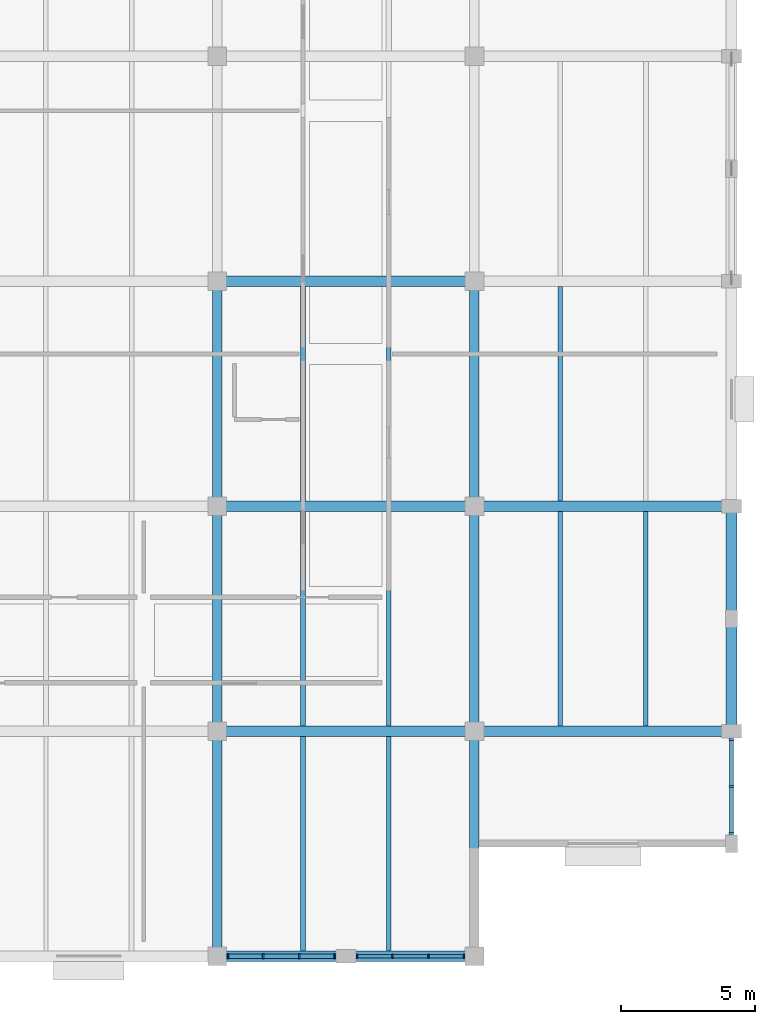
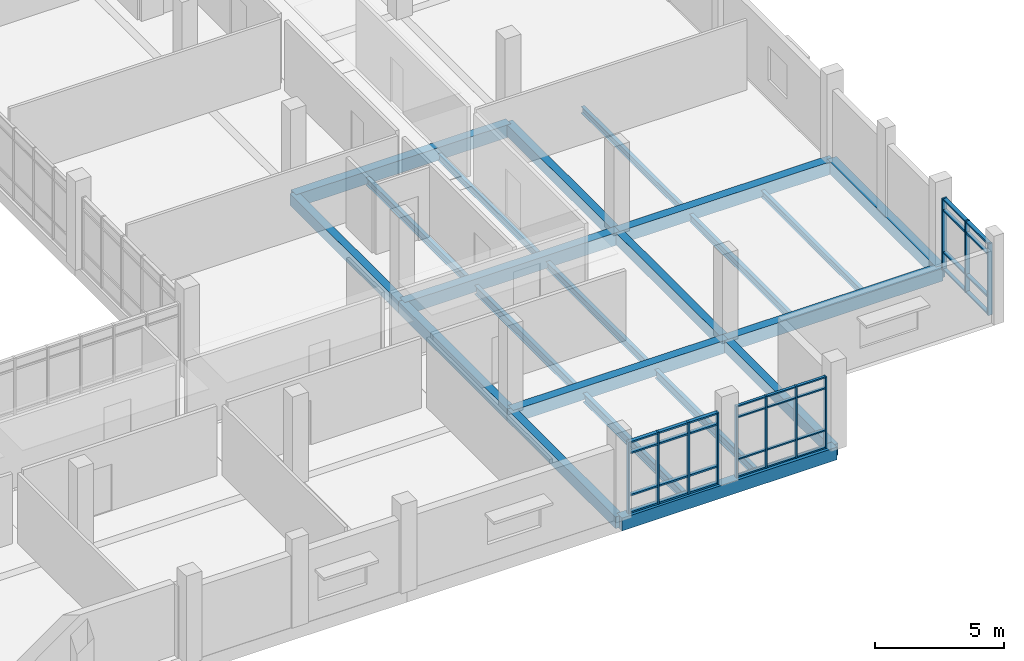
# One storey, part 18 of 57: 43 members, 22 beams, 3 elements without a shape of their own.
"""IFC4 building model written with IfcOpenShell, lengths in metres."""

from ifc_helpers import new_model, si_unit, direction, frame, origin, origin_2d, place, context, subcontext, project, spatial, rectangle, i_section, extrude, material, material_profile, profile_set, type_object, element, aggregate, save


model = new_model("IFC4")

# Units and contexts
model_context = context("Model", 3, precision=1e-05, world=origin(), true_north=direction((0.0, 1.0)))
body_context = subcontext(model_context, "Body", "Model", "MODEL_VIEW")
ifc_project = project(units=[si_unit("LENGTHUNIT", "METRE"), si_unit("AREAUNIT", "SQUARE_METRE"), si_unit("VOLUMEUNIT", "CUBIC_METRE"), si_unit("PLANEANGLEUNIT", "RADIAN"), si_unit("MASSUNIT", "GRAM", prefix="KILO")], contexts=[model_context])

# Site, building, storey
site_placement = place(None, origin())
site = spatial("IfcSite", under=ifc_project, at=site_placement, CompositionType="ELEMENT")
building_placement = place(site_placement, origin())
building = spatial("IfcBuilding", under=site, at=building_placement, Name="Oolite Switchyard Hospital", CompositionType="ELEMENT")
storey_placement = place(building_placement, frame((0.0, 0.0, 17.800048828125)))
storey = spatial("IfcBuildingStorey", under=building, at=storey_placement, Name="L04", CompositionType="ELEMENT", Elevation=17.800048828125)

# Beams
ifc_material_1 = material(Name="Concrete C40/50", Category="concrete")
ifc_material_profile_1 = material_profile(ifc_material_1, rectangle(XDim=0.35009765625, YDim=0.550048828125, at=origin_2d()), Name="RCB350X550")
ifc_profile_set_1 = profile_set([ifc_material_profile_1], Name="Concrete C40/50")
beam_type_1 = type_object("IfcBeamType", Name="BM-RC350X550", PredefinedType="BEAM", material=ifc_profile_set_1)
beam_1_placement = place(storey_placement, frame((192.0, 8.39990234375, -0.275146484375), z_axis=(0.0, 1.0, 0.0), x_axis=(-1.0, 0.0, 0.0)))
element("IfcBeam", 1, at=beam_1_placement, inside=storey, type_object=beam_type_1, Name="L04 Y-Girder 3051", PredefinedType="BEAM", context=body_context, shape_type="SweptSolid", body=[
    extrude(rectangle(XDim=0.35009765625, YDim=0.550048828125, at=origin_2d()), origin(), (0.0, 0.0, 1.0), 8.400146484375),
])
beam_2_placement = place(storey_placement, frame((192.0, 16.800048828125, -0.275146484375), z_axis=(0.0, 1.0, 0.0), x_axis=(-1.0, 0.0, 0.0)))
element("IfcBeam", 2, at=beam_2_placement, inside=storey, type_object=beam_type_1, Name="L04 Y-Girder 3052", PredefinedType="BEAM", context=body_context, shape_type="SweptSolid", body=[
    extrude(rectangle(XDim=0.35009765625, YDim=0.550048828125, at=origin_2d()), origin(), (0.0, 0.0, 1.0), 8.39990234375),
])
for number, where, z_axis, x_axis, name in (
    (3, (192.0, 25.199951171875, -0.275146484375), (0.0, 1.0, 0.0), (-1.0, 0.0, 0.0), "L04 Y-Girder 3053"),
    (4, (201.60009765625, 8.39990234375, -0.275146484375), (0.0, 1.0, 0.0), (-1.0, 0.0, 0.0), "L04 Y-Girder 3063"),
):
    element("IfcBeam", number, at=place(storey_placement, frame(where, z_axis=z_axis, x_axis=x_axis)), inside=storey, type_object=beam_type_1, Name=name, PredefinedType="BEAM", context=body_context, shape_type="SweptSolid", body=[
        extrude(rectangle(XDim=0.35009765625, YDim=0.550048828125, at=origin_2d()), origin(), (0.0, 0.0, 1.0), 8.400146484375),
    ])
beam_3_placement = place(storey_placement, frame((201.60009765625, 16.800048828125, -0.275146484375), z_axis=(0.0, 1.0, 0.0), x_axis=(-1.0, 0.0, 0.0)))
element("IfcBeam", 5, at=beam_3_placement, inside=storey, type_object=beam_type_1, Name="L04 Y-Girder 3064", PredefinedType="BEAM", context=body_context, shape_type="SweptSolid", body=[
    extrude(rectangle(XDim=0.35009765625, YDim=0.550048828125, at=origin_2d()), origin(), (0.0, 0.0, 1.0), 8.39990234375),
])
beam_4_placement = place(storey_placement, frame((201.60009765625, 25.199951171875, -0.275146484375), z_axis=(0.0, 1.0, 0.0), x_axis=(-1.0, 0.0, 0.0)))
element("IfcBeam", 6, at=beam_4_placement, inside=storey, type_object=beam_type_1, Name="L04 Y-Girder 3065", PredefinedType="BEAM", context=body_context, shape_type="SweptSolid", body=[
    extrude(rectangle(XDim=0.35009765625, YDim=0.550048828125, at=origin_2d()), origin(), (0.0, 0.0, 1.0), 8.400146484375),
])
ifc_material_profile_2 = material_profile(ifc_material_1, rectangle(XDim=0.39990234375, YDim=0.60009765625, at=origin_2d()), Name="RCB400X600")
ifc_profile_set_2 = profile_set([ifc_material_profile_2], Name="Concrete C40/50")
beam_type_2 = type_object("IfcBeamType", Name="BM-RC400X600", PredefinedType="BEAM", material=ifc_profile_set_2)
for number, where, z_axis, x_axis, name in (
    (7, (192.0, 8.39990234375, -0.300048828125), (1.0, 0.0, 0.0), (0.0, 1.0, 0.0), "L04 X-Girder 2762"),
    (8, (192.0, 16.800048828125, -0.300048828125), (1.0, 0.0, 0.0), (0.0, 1.0, 0.0), "L04 X-Girder 2769"),
):
    element("IfcBeam", number, at=place(storey_placement, frame(where, z_axis=z_axis, x_axis=x_axis)), inside=storey, type_object=beam_type_2, Name=name, PredefinedType="BEAM", context=body_context, shape_type="SweptSolid", body=[
        extrude(rectangle(XDim=0.39990234375, YDim=0.60009765625, at=origin_2d()), origin(), (0.0, 0.0, 1.0), 9.60009765625),
    ])
beam_5_placement = place(storey_placement, frame((201.60009765625, 16.800048828125, -0.300048828125), z_axis=(1.0, 0.0, 0.0), x_axis=(0.0, 1.0, 0.0)))
element("IfcBeam", 9, at=beam_5_placement, inside=storey, type_object=beam_type_2, Name="L04 X-Girder 2770", PredefinedType="BEAM", context=body_context, shape_type="SweptSolid", body=[
    extrude(rectangle(XDim=0.39990234375, YDim=0.60009765625, at=origin_2d()), origin(), (0.0, 0.0, 1.0), 9.599853515625),
])
beam_6_placement = place(storey_placement, frame((192.0, 25.199951171875, -0.300048828125), z_axis=(1.0, 0.0, 0.0), x_axis=(0.0, 1.0, 0.0)))
element("IfcBeam", 10, at=beam_6_placement, inside=storey, type_object=beam_type_2, Name="L04 X-Girder 2777", PredefinedType="BEAM", context=body_context, shape_type="SweptSolid", body=[
    extrude(rectangle(XDim=0.39990234375, YDim=0.60009765625, at=origin_2d()), origin(), (0.0, 0.0, 1.0), 9.60009765625),
])
beam_7_placement = place(storey_placement, frame((201.60009765625, 25.199951171875, -0.300048828125), z_axis=(1.0, 0.0, 0.0), x_axis=(0.0, 1.0, 0.0)))
element("IfcBeam", 11, at=beam_7_placement, inside=storey, type_object=beam_type_2, Name="L04 X-Girder 2778", PredefinedType="BEAM", context=body_context, shape_type="SweptSolid", body=[
    extrude(rectangle(XDim=0.39990234375, YDim=0.60009765625, at=origin_2d()), origin(), (0.0, 0.0, 1.0), 9.599853515625),
])
beam_8_placement = place(storey_placement, frame((192.0, 33.60009765625, -0.300048828125), z_axis=(1.0, 0.0, 0.0), x_axis=(0.0, 1.0, 0.0)))
element("IfcBeam", 12, at=beam_8_placement, inside=storey, type_object=beam_type_2, Name="L04 X-Girder 2783", PredefinedType="BEAM", context=body_context, shape_type="SweptSolid", body=[
    extrude(rectangle(XDim=0.39990234375, YDim=0.60009765625, at=origin_2d()), origin(), (0.0, 0.0, 1.0), 9.60009765625),
])
beam_9_placement = place(storey_placement, frame((211.199951171875, 16.800048828125, -0.300048828125), z_axis=(0.0, 1.0, 0.0), x_axis=(-1.0, 0.0, 0.0)))
element("IfcBeam", 13, at=beam_9_placement, inside=storey, type_object=beam_type_2, Name="L04 Y-Girder 3075", PredefinedType="BEAM", context=body_context, shape_type="SweptSolid", body=[
    extrude(rectangle(XDim=0.39990234375, YDim=0.60009765625, at=origin_2d()), origin(), (0.0, 0.0, 1.0), 8.39990234375),
])
ifc_material_2 = material(Name="Steel ASTM A992 Grade 50", Category="steel")
ifc_material_profile_3 = material_profile(ifc_material_2, i_section(OverallWidth=0.1650390625, OverallDepth=0.31005859375, WebThickness=0.006103515625, FlangeThickness=0.010009765625, at=origin_2d()), Name="W12X26")
ifc_profile_set_3 = profile_set([ifc_material_profile_3], Name="Steel ASTM A992 Grade 50")
beam_type_3 = type_object("IfcBeamType", Name="BM-W12X26", PredefinedType="JOIST", material=ifc_profile_set_3)
for number, where, z_axis, x_axis, name in (
    (14, (198.39990234375, 25.39990234375, -0.429931640625), (0.0, 1.0, 0.0), (-1.0, 0.0, 0.0), "L04 Secondary Steel Joist 3296"),
    (15, (208.0, 17.0, -0.429931640625), (0.0, 1.0, 0.0), (-1.0, 0.0, 0.0), "L04 Secondary Steel Joist 3314"),
    (16, (204.800048828125, 25.39990234375, -0.429931640625), (0.0, 1.0, 0.0), (-1.0, 0.0, 0.0), "L04 Secondary Steel Joist 3315"),
):
    element("IfcBeam", number, at=place(storey_placement, frame(where, z_axis=z_axis, x_axis=x_axis)), inside=storey, type_object=beam_type_3, Name=name, PredefinedType="JOIST", context=body_context, shape_type="SweptSolid", body=[
        extrude(i_section(OverallWidth=0.1650390625, OverallDepth=0.31005859375, WebThickness=0.006103515625, FlangeThickness=0.010009765625, at=origin_2d()), origin(), (0.0, 0.0, 1.0), 8.0),
    ])
ifc_material_profile_4 = material_profile(ifc_material_2, i_section(OverallWidth=0.1708984375, OverallDepth=0.35107421875, WebThickness=0.007080078125, FlangeThickness=0.010009765625, at=origin_2d()), Name="W14X30")
ifc_profile_set_4 = profile_set([ifc_material_profile_4], Name="Steel ASTM A992 Grade 50")
beam_type_4 = type_object("IfcBeamType", Name="BM-W14X30", PredefinedType="JOIST", material=ifc_profile_set_4)
for number, where, z_axis, x_axis, name in (
    (17, (198.39990234375, 17.0, -0.449951171875), (0.0, 1.0, 0.0), (-1.0, 0.0, 0.0), "L04 Secondary Steel Joist 3294"),
    (18, (195.199951171875, 25.39990234375, -0.449951171875), (0.0, 1.0, 0.0), (-1.0, 0.0, 0.0), "L04 Secondary Steel Joist 3295"),
    (19, (204.800048828125, 17.0, -0.449951171875), (0.0, 1.0, 0.0), (-1.0, 0.0, 0.0), "L04 Secondary Steel Joist 3313"),
):
    element("IfcBeam", number, at=place(storey_placement, frame(where, z_axis=z_axis, x_axis=x_axis)), inside=storey, type_object=beam_type_4, Name=name, PredefinedType="JOIST", context=body_context, shape_type="SweptSolid", body=[
        extrude(i_section(OverallWidth=0.1708984375, OverallDepth=0.35107421875, WebThickness=0.007080078125, FlangeThickness=0.010009765625, at=origin_2d()), origin(), (0.0, 0.0, 1.0), 8.0),
    ])
ifc_material_profile_5 = material_profile(ifc_material_2, i_section(OverallWidth=0.177978515625, OverallDepth=0.403076171875, WebThickness=0.008056640625, FlangeThickness=0.010986328125, at=origin_2d()), Name="W16X36")
ifc_profile_set_5 = profile_set([ifc_material_profile_5], Name="Steel ASTM A992 Grade 50")
beam_type_5 = type_object("IfcBeamType", Name="BM-W16X36", PredefinedType="JOIST", material=ifc_profile_set_5)
for number, where, z_axis, x_axis, name in (
    (20, (198.39990234375, 8.60009765625, -0.47607421875), (0.0, 1.0, 0.0), (-1.0, 0.0, 0.0), "L04 Secondary Steel Joist 3292"),
    (21, (195.199951171875, 17.0, -0.47607421875), (0.0, 1.0, 0.0), (-1.0, 0.0, 0.0), "L04 Secondary Steel Joist 3293"),
):
    element("IfcBeam", number, at=place(storey_placement, frame(where, z_axis=z_axis, x_axis=x_axis)), inside=storey, type_object=beam_type_5, Name=name, PredefinedType="JOIST", context=body_context, shape_type="SweptSolid", body=[
        extrude(i_section(OverallWidth=0.177978515625, OverallDepth=0.403076171875, WebThickness=0.008056640625, FlangeThickness=0.010986328125, at=origin_2d()), origin(), (0.0, 0.0, 1.0), 8.0),
    ])
ifc_material_profile_6 = material_profile(ifc_material_2, i_section(OverallWidth=0.179931640625, OverallDepth=0.4130859375, WebThickness=0.010009765625, FlangeThickness=0.01611328125, at=origin_2d()), Name="W16X50")
ifc_profile_set_6 = profile_set([ifc_material_profile_6], Name="Steel ASTM A992 Grade 50")
beam_type_6 = type_object("IfcBeamType", Name="BM-W16X50", PredefinedType="JOIST", material=ifc_profile_set_6)
beam_10_placement = place(storey_placement, frame((195.199951171875, 8.60009765625, -0.48095703125), z_axis=(0.0, 1.0, 0.0), x_axis=(-1.0, 0.0, 0.0)))
element("IfcBeam", 22, at=beam_10_placement, inside=storey, type_object=beam_type_6, Name="L04 Secondary Steel Joist 3291", PredefinedType="JOIST", context=body_context, shape_type="SweptSolid", body=[
    extrude(i_section(OverallWidth=0.179931640625, OverallDepth=0.4130859375, WebThickness=0.010009765625, FlangeThickness=0.01611328125, at=origin_2d()), origin(), (0.0, 0.0, 1.0), 8.0),
])

# Curtain wall, members
ifc_material_3 = material(Name="Thermally broken aluminum frame with laminated impact glazing", Category="aluminium")
curtain_wall_type = type_object("IfcCurtainWallType", Name="CW-UNIT-84X42", PredefinedType="USERDEFINED", material=ifc_material_3)
curtain_wall_1_placement = place(storey_placement, origin())
curtain_wall_1 = element("IfcCurtainWall", 23, at=curtain_wall_1_placement, inside=storey, type_object=curtain_wall_type, Name="L04 Unitised Curtain Wall 356", ObjectType="UNITISED", PredefinedType="USERDEFINED")
ifc_material_4 = material(Name="Aluminium 6063-T6", Category="aluminium")
ifc_material_profile_7 = material_profile(ifc_material_4, rectangle(XDim=0.159912109375, YDim=0.06005859375, at=origin_2d()), Name="CWM60X160")
ifc_profile_set_7 = profile_set([ifc_material_profile_7], Name="Aluminium 6063-T6")
member_type_1 = type_object("IfcMemberType", Name="CW-MUL-180", PredefinedType="MULLION", material=ifc_profile_set_7)
member_1_placement = place(storey_placement, frame((201.205078125, 8.39990234375, 0.0), z_axis=(0.0, 0.0, 1.0), x_axis=(0.0, -1.0, 0.0)))
member_1 = element("IfcMember", 24, at=member_1_placement, type_object=member_type_1, Name="CW-10 mullion 1", PredefinedType="MULLION", context=body_context, shape_type="SweptSolid", body=[
    extrude(rectangle(XDim=0.159912109375, YDim=0.06005859375, at=origin_2d()), origin(), (0.0, 0.0, 1.0), 3.389892578125),
])
member_2_placement = place(storey_placement, frame((199.88671875, 8.39990234375, 0.0), z_axis=(0.0, 0.0, 1.0), x_axis=(0.0, -1.0, 0.0)))
member_2 = element("IfcMember", 25, at=member_2_placement, type_object=member_type_1, Name="CW-10 mullion 2", PredefinedType="MULLION", context=body_context, shape_type="SweptSolid", body=[
    extrude(rectangle(XDim=0.159912109375, YDim=0.06005859375, at=origin_2d()), origin(), (0.0, 0.0, 1.0), 3.389892578125),
])
member_3_placement = place(storey_placement, frame((198.538330078125, 8.39990234375, 0.0), z_axis=(0.0, 0.0, 1.0), x_axis=(0.0, -1.0, 0.0)))
member_3 = element("IfcMember", 26, at=member_3_placement, type_object=member_type_1, Name="CW-10 mullion 3", PredefinedType="MULLION", context=body_context, shape_type="SweptSolid", body=[
    extrude(rectangle(XDim=0.159912109375, YDim=0.06005859375, at=origin_2d()), origin(), (0.0, 0.0, 1.0), 3.389892578125),
])
member_4_placement = place(storey_placement, frame((197.219970703125, 8.39990234375, 0.0), z_axis=(0.0, 0.0, 1.0), x_axis=(0.0, -1.0, 0.0)))
member_4 = element("IfcMember", 27, at=member_4_placement, type_object=member_type_1, Name="CW-10 mullion 4", PredefinedType="MULLION", context=body_context, shape_type="SweptSolid", body=[
    extrude(rectangle(XDim=0.159912109375, YDim=0.06005859375, at=origin_2d()), origin(), (0.0, 0.0, 1.0), 3.389892578125),
])

curtain_wall_2_placement = place(storey_placement, origin())
curtain_wall_2 = element("IfcCurtainWall", 28, at=curtain_wall_2_placement, inside=storey, type_object=curtain_wall_type, Name="L04 Unitised Curtain Wall 357", ObjectType="UNITISED", PredefinedType="USERDEFINED")
ifc_material_profile_8 = material_profile(ifc_material_4, rectangle(XDim=0.179931640625, YDim=0.070068359375, at=origin_2d()), Name="CWM70X180")
ifc_profile_set_8 = profile_set([ifc_material_profile_8], Name="Aluminium 6063-T6")
member_type_2 = type_object("IfcMemberType", Name="CW-MUL-220", PredefinedType="MULLION", material=ifc_profile_set_8)
member_5_placement = place(storey_placement, frame((196.375, 8.39990234375, 0.0), z_axis=(0.0, 0.0, 1.0), x_axis=(0.0, -1.0, 0.0)))
member_5 = element("IfcMember", 29, at=member_5_placement, type_object=member_type_2, Name="CW-10 mullion 1", PredefinedType="MULLION", context=body_context, shape_type="SweptSolid", body=[
    extrude(rectangle(XDim=0.179931640625, YDim=0.070068359375, at=origin_2d()), origin(), (0.0, 0.0, 1.0), 3.389892578125),
])
member_6_placement = place(storey_placement, frame((195.061767578125, 8.39990234375, 0.0), z_axis=(0.0, 0.0, 1.0), x_axis=(0.0, -1.0, 0.0)))
member_6 = element("IfcMember", 30, at=member_6_placement, type_object=member_type_2, Name="CW-10 mullion 2", PredefinedType="MULLION", context=body_context, shape_type="SweptSolid", body=[
    extrude(rectangle(XDim=0.179931640625, YDim=0.070068359375, at=origin_2d()), origin(), (0.0, 0.0, 1.0), 3.389892578125),
])
member_7_placement = place(storey_placement, frame((193.71337890625, 8.39990234375, 0.0), z_axis=(0.0, 0.0, 1.0), x_axis=(0.0, -1.0, 0.0)))
member_7 = element("IfcMember", 31, at=member_7_placement, type_object=member_type_2, Name="CW-10 mullion 3", PredefinedType="MULLION", context=body_context, shape_type="SweptSolid", body=[
    extrude(rectangle(XDim=0.179931640625, YDim=0.070068359375, at=origin_2d()), origin(), (0.0, 0.0, 1.0), 3.389892578125),
])
member_8_placement = place(storey_placement, frame((192.39990234375, 8.39990234375, 0.0), z_axis=(0.0, 0.0, 1.0), x_axis=(0.0, -1.0, 0.0)))
member_8 = element("IfcMember", 32, at=member_8_placement, type_object=member_type_2, Name="CW-10 mullion 4", PredefinedType="MULLION", context=body_context, shape_type="SweptSolid", body=[
    extrude(rectangle(XDim=0.179931640625, YDim=0.070068359375, at=origin_2d()), origin(), (0.0, 0.0, 1.0), 3.389892578125),
])

curtain_wall_3_placement = place(storey_placement, origin())
curtain_wall_3 = element("IfcCurtainWall", 33, at=curtain_wall_3_placement, inside=storey, type_object=curtain_wall_type, Name="L04 Unitised Curtain Wall 379", ObjectType="UNITISED", PredefinedType="USERDEFINED")
ifc_material_profile_9 = material_profile(ifc_material_4, rectangle(XDim=0.199951171875, YDim=0.074951171875, at=origin_2d()), Name="CWM75X200")
ifc_profile_set_9 = profile_set([ifc_material_profile_9], Name="Aluminium 6063-T6")
member_type_3 = type_object("IfcMemberType", Name="CW-MUL-260", PredefinedType="MULLION", material=ifc_profile_set_9)
member_9_placement = place(storey_placement, frame((211.199951171875, 16.49755859375, 0.0), z_axis=(0.0, 0.0, 1.0), x_axis=(1.0, 0.0, 0.0)))
member_9 = element("IfcMember", 34, at=member_9_placement, type_object=member_type_3, Name="CW-10 mullion 1", PredefinedType="MULLION", context=body_context, shape_type="SweptSolid", body=[
    extrude(rectangle(XDim=0.199951171875, YDim=0.074951171875, at=origin_2d()), origin(), (0.0, 0.0, 1.0), 3.389892578125),
])
member_10_placement = place(storey_placement, frame((211.199951171875, 14.737548828125, 0.0), z_axis=(0.0, 0.0, 1.0), x_axis=(1.0, 0.0, 0.0)))
member_10 = element("IfcMember", 35, at=member_10_placement, type_object=member_type_3, Name="CW-10 mullion 2", PredefinedType="MULLION", context=body_context, shape_type="SweptSolid", body=[
    extrude(rectangle(XDim=0.199951171875, YDim=0.074951171875, at=origin_2d()), origin(), (0.0, 0.0, 1.0), 3.389892578125),
])
member_11_placement = place(storey_placement, frame((211.199951171875, 12.9775390625, 0.0), z_axis=(0.0, 0.0, 1.0), x_axis=(1.0, 0.0, 0.0)))
member_11 = element("IfcMember", 36, at=member_11_placement, type_object=member_type_3, Name="CW-10 mullion 3", PredefinedType="MULLION", context=body_context, shape_type="SweptSolid", body=[
    extrude(rectangle(XDim=0.199951171875, YDim=0.074951171875, at=origin_2d()), origin(), (0.0, 0.0, 1.0), 3.389892578125),
])

# Member
ifc_material_profile_10 = material_profile(ifc_material_4, rectangle(XDim=0.1201171875, YDim=0.06005859375, at=origin_2d()), Name="CWT60X120")
ifc_profile_set_10 = profile_set([ifc_material_profile_10], Name="Aluminium 6063-T6")
member_type_4 = type_object("IfcMemberType", Name="CW-TRN-150", PredefinedType="USERDEFINED", material=ifc_profile_set_10)
member_12_placement = place(storey_placement, frame((201.175048828125, 8.39990234375, 0.030029296875), z_axis=(-1.0, 0.0, 0.0), x_axis=(0.0, -1.0, 0.0)))
member_12 = element("IfcMember", 37, at=member_12_placement, type_object=member_type_4, Name="CW-10 transom 1.1", ObjectType="TRANSOM", PredefinedType="USERDEFINED", context=body_context, shape_type="SweptSolid", body=[
    extrude(rectangle(XDim=0.1201171875, YDim=0.06005859375, at=origin_2d()), origin(), (0.0, 0.0, 1.0), 1.25830078125),
])

member_13_placement = place(storey_placement, frame((201.175048828125, 8.39990234375, 0.849853515625), z_axis=(-1.0, 0.0, 0.0), x_axis=(0.0, -1.0, 0.0)))
member_13 = element("IfcMember", 38, at=member_13_placement, type_object=member_type_4, Name="CW-10 transom 1.2", ObjectType="TRANSOM", PredefinedType="USERDEFINED", context=body_context, shape_type="SweptSolid", body=[
    extrude(rectangle(XDim=0.1201171875, YDim=0.06005859375, at=origin_2d()), origin(), (0.0, 0.0, 1.0), 1.25830078125),
])

member_14_placement = place(storey_placement, frame((201.175048828125, 8.39990234375, 2.83984375), z_axis=(-1.0, 0.0, 0.0), x_axis=(0.0, -1.0, 0.0)))
member_14 = element("IfcMember", 39, at=member_14_placement, type_object=member_type_4, Name="CW-10 transom 1.3", ObjectType="TRANSOM", PredefinedType="USERDEFINED", context=body_context, shape_type="SweptSolid", body=[
    extrude(rectangle(XDim=0.1201171875, YDim=0.06005859375, at=origin_2d()), origin(), (0.0, 0.0, 1.0), 1.25830078125),
])

member_15_placement = place(storey_placement, frame((201.175048828125, 8.39990234375, 3.35986328125), z_axis=(-1.0, 0.0, 0.0), x_axis=(0.0, -1.0, 0.0)))
member_15 = element("IfcMember", 40, at=member_15_placement, type_object=member_type_4, Name="CW-10 transom 1.4", ObjectType="TRANSOM", PredefinedType="USERDEFINED", context=body_context, shape_type="SweptSolid", body=[
    extrude(rectangle(XDim=0.1201171875, YDim=0.06005859375, at=origin_2d()), origin(), (0.0, 0.0, 1.0), 1.25830078125),
])

member_16_placement = place(storey_placement, frame((199.856689453125, 8.39990234375, 0.030029296875), z_axis=(-1.0, 0.0, 0.0), x_axis=(0.0, -1.0, 0.0)))
member_16 = element("IfcMember", 41, at=member_16_placement, type_object=member_type_4, Name="CW-10 transom 2.1", ObjectType="TRANSOM", PredefinedType="USERDEFINED", context=body_context, shape_type="SweptSolid", body=[
    extrude(rectangle(XDim=0.1201171875, YDim=0.06005859375, at=origin_2d()), origin(), (0.0, 0.0, 1.0), 1.288330078125),
])

member_17_placement = place(storey_placement, frame((199.856689453125, 8.39990234375, 0.849853515625), z_axis=(-1.0, 0.0, 0.0), x_axis=(0.0, -1.0, 0.0)))
member_17 = element("IfcMember", 42, at=member_17_placement, type_object=member_type_4, Name="CW-10 transom 2.2", ObjectType="TRANSOM", PredefinedType="USERDEFINED", context=body_context, shape_type="SweptSolid", body=[
    extrude(rectangle(XDim=0.1201171875, YDim=0.06005859375, at=origin_2d()), origin(), (0.0, 0.0, 1.0), 1.288330078125),
])

member_18_placement = place(storey_placement, frame((199.856689453125, 8.39990234375, 2.83984375), z_axis=(-1.0, 0.0, 0.0), x_axis=(0.0, -1.0, 0.0)))
member_18 = element("IfcMember", 43, at=member_18_placement, type_object=member_type_4, Name="CW-10 transom 2.3", ObjectType="TRANSOM", PredefinedType="USERDEFINED", context=body_context, shape_type="SweptSolid", body=[
    extrude(rectangle(XDim=0.1201171875, YDim=0.06005859375, at=origin_2d()), origin(), (0.0, 0.0, 1.0), 1.288330078125),
])

member_19_placement = place(storey_placement, frame((199.856689453125, 8.39990234375, 3.35986328125), z_axis=(-1.0, 0.0, 0.0), x_axis=(0.0, -1.0, 0.0)))
member_19 = element("IfcMember", 44, at=member_19_placement, type_object=member_type_4, Name="CW-10 transom 2.4", ObjectType="TRANSOM", PredefinedType="USERDEFINED", context=body_context, shape_type="SweptSolid", body=[
    extrude(rectangle(XDim=0.1201171875, YDim=0.06005859375, at=origin_2d()), origin(), (0.0, 0.0, 1.0), 1.288330078125),
])

member_20_placement = place(storey_placement, frame((198.50830078125, 8.39990234375, 0.030029296875), z_axis=(-1.0, 0.0, 0.0), x_axis=(0.0, -1.0, 0.0)))
member_20 = element("IfcMember", 45, at=member_20_placement, type_object=member_type_4, Name="CW-10 transom 3.1", ObjectType="TRANSOM", PredefinedType="USERDEFINED", context=body_context, shape_type="SweptSolid", body=[
    extrude(rectangle(XDim=0.1201171875, YDim=0.06005859375, at=origin_2d()), origin(), (0.0, 0.0, 1.0), 1.25830078125),
])

member_21_placement = place(storey_placement, frame((198.50830078125, 8.39990234375, 0.849853515625), z_axis=(-1.0, 0.0, 0.0), x_axis=(0.0, -1.0, 0.0)))
member_21 = element("IfcMember", 46, at=member_21_placement, type_object=member_type_4, Name="CW-10 transom 3.2", ObjectType="TRANSOM", PredefinedType="USERDEFINED", context=body_context, shape_type="SweptSolid", body=[
    extrude(rectangle(XDim=0.1201171875, YDim=0.06005859375, at=origin_2d()), origin(), (0.0, 0.0, 1.0), 1.25830078125),
])

member_22_placement = place(storey_placement, frame((198.50830078125, 8.39990234375, 2.83984375), z_axis=(-1.0, 0.0, 0.0), x_axis=(0.0, -1.0, 0.0)))
member_22 = element("IfcMember", 47, at=member_22_placement, type_object=member_type_4, Name="CW-10 transom 3.3", ObjectType="TRANSOM", PredefinedType="USERDEFINED", context=body_context, shape_type="SweptSolid", body=[
    extrude(rectangle(XDim=0.1201171875, YDim=0.06005859375, at=origin_2d()), origin(), (0.0, 0.0, 1.0), 1.25830078125),
])

member_23_placement = place(storey_placement, frame((198.50830078125, 8.39990234375, 3.35986328125), z_axis=(-1.0, 0.0, 0.0), x_axis=(0.0, -1.0, 0.0)))
member_23 = element("IfcMember", 48, at=member_23_placement, type_object=member_type_4, Name="CW-10 transom 3.4", ObjectType="TRANSOM", PredefinedType="USERDEFINED", context=body_context, shape_type="SweptSolid", body=[
    extrude(rectangle(XDim=0.1201171875, YDim=0.06005859375, at=origin_2d()), origin(), (0.0, 0.0, 1.0), 1.25830078125),
])

aggregate(curtain_wall_1, [member_1, member_2, member_3, member_4, member_12, member_13, member_14, member_15, member_16, member_17, member_18, member_19, member_20, member_21, member_22, member_23])

ifc_material_profile_11 = material_profile(ifc_material_4, rectangle(XDim=0.159912109375, YDim=0.074951171875, at=origin_2d()), Name="CWT75X160")
ifc_profile_set_11 = profile_set([ifc_material_profile_11], Name="Aluminium 6063-T6")
member_type_5 = type_object("IfcMemberType", Name="CW-TRN-180", PredefinedType="USERDEFINED", material=ifc_profile_set_11)
member_24_placement = place(storey_placement, frame((196.340087890625, 8.39990234375, 0.037353515625), z_axis=(-1.0, 0.0, 0.0), x_axis=(0.0, -1.0, 0.0)))
member_24 = element("IfcMember", 49, at=member_24_placement, type_object=member_type_5, Name="CW-10 transom 1.1", ObjectType="TRANSOM", PredefinedType="USERDEFINED", context=body_context, shape_type="SweptSolid", body=[
    extrude(rectangle(XDim=0.159912109375, YDim=0.074951171875, at=origin_2d()), origin(), (0.0, 0.0, 1.0), 1.243408203125),
])

member_25_placement = place(storey_placement, frame((196.340087890625, 8.39990234375, 0.849853515625), z_axis=(-1.0, 0.0, 0.0), x_axis=(0.0, -1.0, 0.0)))
member_25 = element("IfcMember", 50, at=member_25_placement, type_object=member_type_5, Name="CW-10 transom 1.2", ObjectType="TRANSOM", PredefinedType="USERDEFINED", context=body_context, shape_type="SweptSolid", body=[
    extrude(rectangle(XDim=0.159912109375, YDim=0.074951171875, at=origin_2d()), origin(), (0.0, 0.0, 1.0), 1.243408203125),
])

member_26_placement = place(storey_placement, frame((196.340087890625, 8.39990234375, 2.83984375), z_axis=(-1.0, 0.0, 0.0), x_axis=(0.0, -1.0, 0.0)))
member_26 = element("IfcMember", 51, at=member_26_placement, type_object=member_type_5, Name="CW-10 transom 1.3", ObjectType="TRANSOM", PredefinedType="USERDEFINED", context=body_context, shape_type="SweptSolid", body=[
    extrude(rectangle(XDim=0.159912109375, YDim=0.074951171875, at=origin_2d()), origin(), (0.0, 0.0, 1.0), 1.243408203125),
])

member_27_placement = place(storey_placement, frame((196.340087890625, 8.39990234375, 3.3525390625), z_axis=(-1.0, 0.0, 0.0), x_axis=(0.0, -1.0, 0.0)))
member_27 = element("IfcMember", 52, at=member_27_placement, type_object=member_type_5, Name="CW-10 transom 1.4", ObjectType="TRANSOM", PredefinedType="USERDEFINED", context=body_context, shape_type="SweptSolid", body=[
    extrude(rectangle(XDim=0.159912109375, YDim=0.074951171875, at=origin_2d()), origin(), (0.0, 0.0, 1.0), 1.243408203125),
])

member_28_placement = place(storey_placement, frame((195.026611328125, 8.39990234375, 0.037353515625), z_axis=(-1.0, 0.0, 0.0), x_axis=(0.0, -1.0, 0.0)))
member_28 = element("IfcMember", 53, at=member_28_placement, type_object=member_type_5, Name="CW-10 transom 2.1", ObjectType="TRANSOM", PredefinedType="USERDEFINED", context=body_context, shape_type="SweptSolid", body=[
    extrude(rectangle(XDim=0.159912109375, YDim=0.074951171875, at=origin_2d()), origin(), (0.0, 0.0, 1.0), 1.2783203125),
])

member_29_placement = place(storey_placement, frame((195.026611328125, 8.39990234375, 0.849853515625), z_axis=(-1.0, 0.0, 0.0), x_axis=(0.0, -1.0, 0.0)))
member_29 = element("IfcMember", 54, at=member_29_placement, type_object=member_type_5, Name="CW-10 transom 2.2", ObjectType="TRANSOM", PredefinedType="USERDEFINED", context=body_context, shape_type="SweptSolid", body=[
    extrude(rectangle(XDim=0.159912109375, YDim=0.074951171875, at=origin_2d()), origin(), (0.0, 0.0, 1.0), 1.2783203125),
])

member_30_placement = place(storey_placement, frame((195.026611328125, 8.39990234375, 2.83984375), z_axis=(-1.0, 0.0, 0.0), x_axis=(0.0, -1.0, 0.0)))
member_30 = element("IfcMember", 55, at=member_30_placement, type_object=member_type_5, Name="CW-10 transom 2.3", ObjectType="TRANSOM", PredefinedType="USERDEFINED", context=body_context, shape_type="SweptSolid", body=[
    extrude(rectangle(XDim=0.159912109375, YDim=0.074951171875, at=origin_2d()), origin(), (0.0, 0.0, 1.0), 1.2783203125),
])

member_31_placement = place(storey_placement, frame((195.026611328125, 8.39990234375, 3.3525390625), z_axis=(-1.0, 0.0, 0.0), x_axis=(0.0, -1.0, 0.0)))
member_31 = element("IfcMember", 56, at=member_31_placement, type_object=member_type_5, Name="CW-10 transom 2.4", ObjectType="TRANSOM", PredefinedType="USERDEFINED", context=body_context, shape_type="SweptSolid", body=[
    extrude(rectangle(XDim=0.159912109375, YDim=0.074951171875, at=origin_2d()), origin(), (0.0, 0.0, 1.0), 1.2783203125),
])

member_32_placement = place(storey_placement, frame((193.67822265625, 8.39990234375, 0.037353515625), z_axis=(-1.0, 0.0, 0.0), x_axis=(0.0, -1.0, 0.0)))
member_32 = element("IfcMember", 57, at=member_32_placement, type_object=member_type_5, Name="CW-10 transom 3.1", ObjectType="TRANSOM", PredefinedType="USERDEFINED", context=body_context, shape_type="SweptSolid", body=[
    extrude(rectangle(XDim=0.159912109375, YDim=0.074951171875, at=origin_2d()), origin(), (0.0, 0.0, 1.0), 1.2431640625),
])

member_33_placement = place(storey_placement, frame((193.67822265625, 8.39990234375, 0.849853515625), z_axis=(-1.0, 0.0, 0.0), x_axis=(0.0, -1.0, 0.0)))
member_33 = element("IfcMember", 58, at=member_33_placement, type_object=member_type_5, Name="CW-10 transom 3.2", ObjectType="TRANSOM", PredefinedType="USERDEFINED", context=body_context, shape_type="SweptSolid", body=[
    extrude(rectangle(XDim=0.159912109375, YDim=0.074951171875, at=origin_2d()), origin(), (0.0, 0.0, 1.0), 1.2431640625),
])

member_34_placement = place(storey_placement, frame((193.67822265625, 8.39990234375, 2.83984375), z_axis=(-1.0, 0.0, 0.0), x_axis=(0.0, -1.0, 0.0)))
member_34 = element("IfcMember", 59, at=member_34_placement, type_object=member_type_5, Name="CW-10 transom 3.3", ObjectType="TRANSOM", PredefinedType="USERDEFINED", context=body_context, shape_type="SweptSolid", body=[
    extrude(rectangle(XDim=0.159912109375, YDim=0.074951171875, at=origin_2d()), origin(), (0.0, 0.0, 1.0), 1.2431640625),
])

member_35_placement = place(storey_placement, frame((193.67822265625, 8.39990234375, 3.3525390625), z_axis=(-1.0, 0.0, 0.0), x_axis=(0.0, -1.0, 0.0)))
member_35 = element("IfcMember", 60, at=member_35_placement, type_object=member_type_5, Name="CW-10 transom 3.4", ObjectType="TRANSOM", PredefinedType="USERDEFINED", context=body_context, shape_type="SweptSolid", body=[
    extrude(rectangle(XDim=0.159912109375, YDim=0.074951171875, at=origin_2d()), origin(), (0.0, 0.0, 1.0), 1.2431640625),
])

aggregate(curtain_wall_2, [member_5, member_6, member_7, member_8, member_24, member_25, member_26, member_27, member_28, member_29, member_30, member_31, member_32, member_33, member_34, member_35])

member_36_placement = place(storey_placement, frame((211.199951171875, 16.4599609375, 0.037353515625), z_axis=(0.0, -1.0, 0.0), x_axis=(1.0, 0.0, 0.0)))
member_36 = element("IfcMember", 61, at=member_36_placement, type_object=member_type_5, Name="CW-10 transom 1.1", ObjectType="TRANSOM", PredefinedType="USERDEFINED", context=body_context, shape_type="SweptSolid", body=[
    extrude(rectangle(XDim=0.159912109375, YDim=0.074951171875, at=origin_2d()), origin(), (0.0, 0.0, 1.0), 1.68505859375),
])

member_37_placement = place(storey_placement, frame((211.199951171875, 16.4599609375, 0.849853515625), z_axis=(0.0, -1.0, 0.0), x_axis=(1.0, 0.0, 0.0)))
member_37 = element("IfcMember", 62, at=member_37_placement, type_object=member_type_5, Name="CW-10 transom 1.2", ObjectType="TRANSOM", PredefinedType="USERDEFINED", context=body_context, shape_type="SweptSolid", body=[
    extrude(rectangle(XDim=0.159912109375, YDim=0.074951171875, at=origin_2d()), origin(), (0.0, 0.0, 1.0), 1.68505859375),
])

member_38_placement = place(storey_placement, frame((211.199951171875, 16.4599609375, 2.83984375), z_axis=(0.0, -1.0, 0.0), x_axis=(1.0, 0.0, 0.0)))
member_38 = element("IfcMember", 63, at=member_38_placement, type_object=member_type_5, Name="CW-10 transom 1.3", ObjectType="TRANSOM", PredefinedType="USERDEFINED", context=body_context, shape_type="SweptSolid", body=[
    extrude(rectangle(XDim=0.159912109375, YDim=0.074951171875, at=origin_2d()), origin(), (0.0, 0.0, 1.0), 1.68505859375),
])

member_39_placement = place(storey_placement, frame((211.199951171875, 16.4599609375, 3.3525390625), z_axis=(0.0, -1.0, 0.0), x_axis=(1.0, 0.0, 0.0)))
member_39 = element("IfcMember", 64, at=member_39_placement, type_object=member_type_5, Name="CW-10 transom 1.4", ObjectType="TRANSOM", PredefinedType="USERDEFINED", context=body_context, shape_type="SweptSolid", body=[
    extrude(rectangle(XDim=0.159912109375, YDim=0.074951171875, at=origin_2d()), origin(), (0.0, 0.0, 1.0), 1.68505859375),
])

member_40_placement = place(storey_placement, frame((211.199951171875, 14.699951171875, 0.037353515625), z_axis=(0.0, -1.0, 0.0), x_axis=(1.0, 0.0, 0.0)))
member_40 = element("IfcMember", 65, at=member_40_placement, type_object=member_type_5, Name="CW-10 transom 2.1", ObjectType="TRANSOM", PredefinedType="USERDEFINED", context=body_context, shape_type="SweptSolid", body=[
    extrude(rectangle(XDim=0.159912109375, YDim=0.074951171875, at=origin_2d()), origin(), (0.0, 0.0, 1.0), 1.68505859375),
])

member_41_placement = place(storey_placement, frame((211.199951171875, 14.699951171875, 0.849853515625), z_axis=(0.0, -1.0, 0.0), x_axis=(1.0, 0.0, 0.0)))
member_41 = element("IfcMember", 66, at=member_41_placement, type_object=member_type_5, Name="CW-10 transom 2.2", ObjectType="TRANSOM", PredefinedType="USERDEFINED", context=body_context, shape_type="SweptSolid", body=[
    extrude(rectangle(XDim=0.159912109375, YDim=0.074951171875, at=origin_2d()), origin(), (0.0, 0.0, 1.0), 1.68505859375),
])

member_42_placement = place(storey_placement, frame((211.199951171875, 14.699951171875, 2.83984375), z_axis=(0.0, -1.0, 0.0), x_axis=(1.0, 0.0, 0.0)))
member_42 = element("IfcMember", 67, at=member_42_placement, type_object=member_type_5, Name="CW-10 transom 2.3", ObjectType="TRANSOM", PredefinedType="USERDEFINED", context=body_context, shape_type="SweptSolid", body=[
    extrude(rectangle(XDim=0.159912109375, YDim=0.074951171875, at=origin_2d()), origin(), (0.0, 0.0, 1.0), 1.68505859375),
])

member_43_placement = place(storey_placement, frame((211.199951171875, 14.699951171875, 3.3525390625), z_axis=(0.0, -1.0, 0.0), x_axis=(1.0, 0.0, 0.0)))
member_43 = element("IfcMember", 68, at=member_43_placement, type_object=member_type_5, Name="CW-10 transom 2.4", ObjectType="TRANSOM", PredefinedType="USERDEFINED", context=body_context, shape_type="SweptSolid", body=[
    extrude(rectangle(XDim=0.159912109375, YDim=0.074951171875, at=origin_2d()), origin(), (0.0, 0.0, 1.0), 1.68505859375),
])

aggregate(curtain_wall_3, [member_9, member_10, member_11, member_36, member_37, member_38, member_39, member_40, member_41, member_42, member_43])

save(model, "model.ifc")
